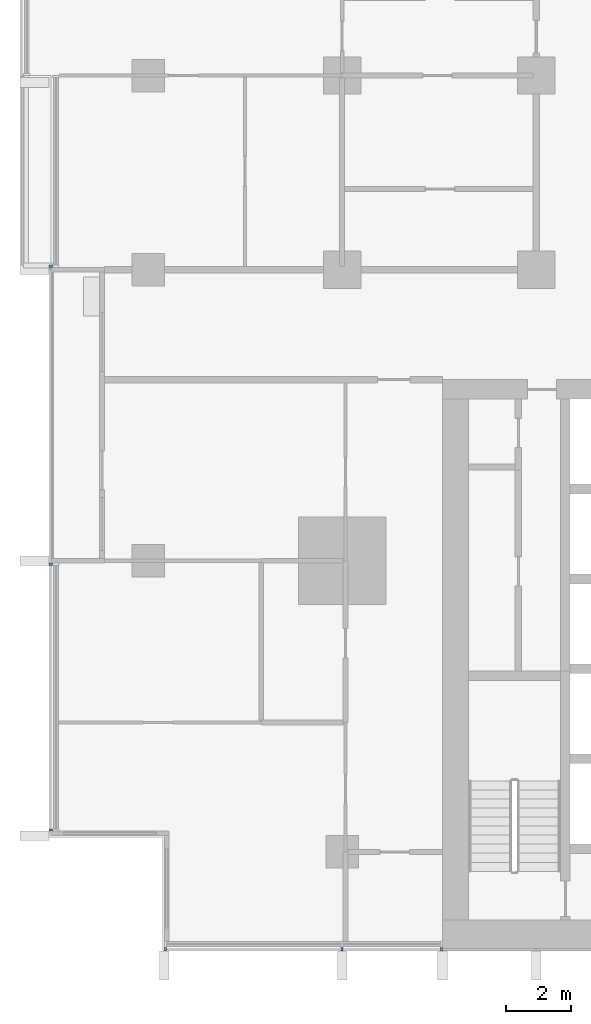
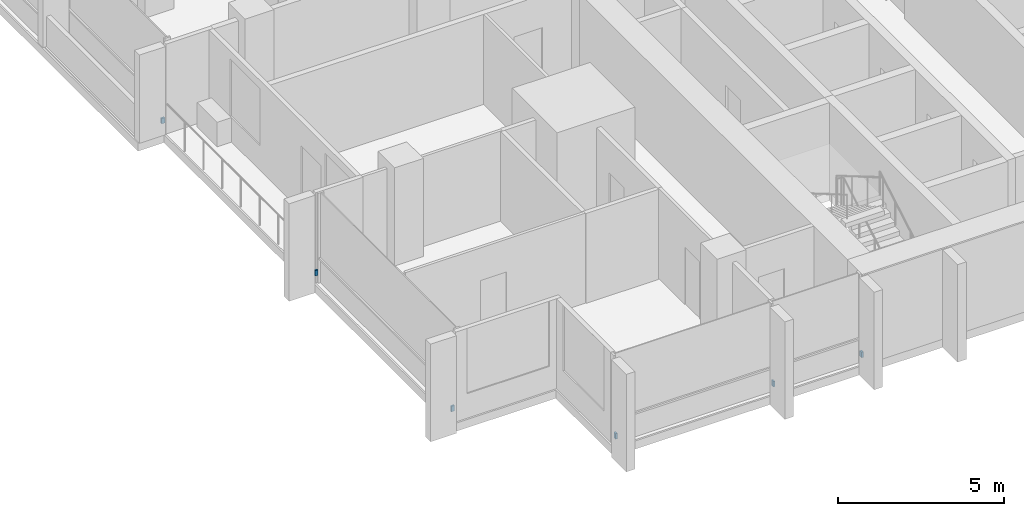
# One storey, part 14 of 19: 6 discrete accessories.
"""IFC4 building model written with IfcOpenShell, lengths in metres."""

from ifc_helpers import new_model, si_unit, direction, frame, origin, origin_2d, place, context, subcontext, project, spatial, rectangle, extrude, material, type_object, element, save


model = new_model("IFC4")

# Units and contexts
model_context = context("Model", 3, precision=1e-05, world=origin(), true_north=direction((0.0, 1.0)))
body_context = subcontext(model_context, "Body", "Model", "MODEL_VIEW")
ifc_project = project(units=[si_unit("LENGTHUNIT", "METRE"), si_unit("AREAUNIT", "SQUARE_METRE"), si_unit("VOLUMEUNIT", "CUBIC_METRE"), si_unit("PLANEANGLEUNIT", "RADIAN"), si_unit("MASSUNIT", "GRAM", prefix="KILO")], contexts=[model_context])

# Site, building, storey
site_placement = place(None, origin())
site = spatial("IfcSite", under=ifc_project, at=site_placement, CompositionType="ELEMENT")
building_placement = place(site_placement, origin())
building = spatial("IfcBuilding", under=site, at=building_placement, Name="Finial Court Residences", CompositionType="ELEMENT")
storey_placement = place(building_placement, frame((0.0, 0.0, 88.300048828125)))
storey = spatial("IfcBuildingStorey", under=building, at=storey_placement, Name="L21", CompositionType="ELEMENT", Elevation=88.300048828125)

# Discrete accessories
ifc_material = material(Name="Stainless steel 316", Category="steel")
discrete_accessory_type = type_object("IfcDiscreteAccessoryType", Name="Fin bracket, stainless steel 65 x 110 x 200", PredefinedType="BRACKET", material=ifc_material)
for number, where, z_axis, x_axis, name in (
    (1, (-21.967529296875, -25.5048828125, 0.2998046875), (0.0, 0.0, 1.0), (1.0, 0.0, 0.0), "E-L21-FIN-S16-BRK"),
    (2, (-16.5, -25.5048828125, 0.2998046875), (0.0, 0.0, 1.0), (1.0, 0.0, 0.0), "E-L21-FIN-S17-BRK"),
    (3, (-13.4326171875, -25.5048828125, 0.2998046875), (0.0, 0.0, 1.0), (1.0, 0.0, 0.0), "E-L21-FIN-S18-BRK"),
):
    element("IfcDiscreteAccessory", number, at=place(storey_placement, frame(where, z_axis=z_axis, x_axis=x_axis)), inside=storey, type_object=discrete_accessory_type, Name=name, PredefinedType="BRACKET", context=body_context, shape_type="SweptSolid", body=[
        extrude(rectangle(XDim=0.06494140625, YDim=0.110107421875, at=origin_2d()), origin(), (0.0, 0.0, 1.0), 0.199951171875),
    ])
for number, where, z_axis, x_axis, name in (
    (4, (-25.5048828125, -21.8173828125, 0.2998046875), (0.0, 0.0, 1.0), (1.0, 0.0, 0.0), "E-L21-FIN-W26-BRK"),
    (5, (-25.5048828125, -13.607421875, 0.2998046875), (0.0, 0.0, 1.0), (1.0, 0.0, 0.0), "E-L21-FIN-W27-BRK"),
    (6, (-25.5048828125, -4.392578125, 0.2998046875), (0.0, 0.0, 1.0), (1.0, 0.0, 0.0), "E-L21-FIN-W28-BRK"),
):
    element("IfcDiscreteAccessory", number, at=place(storey_placement, frame(where, z_axis=z_axis, x_axis=x_axis)), inside=storey, type_object=discrete_accessory_type, Name=name, PredefinedType="BRACKET", context=body_context, shape_type="SweptSolid", body=[
        extrude(rectangle(XDim=0.110107421875, YDim=0.06494140625, at=origin_2d()), origin(), (0.0, 0.0, 1.0), 0.199951171875),
    ])

save(model, "model.ifc")
